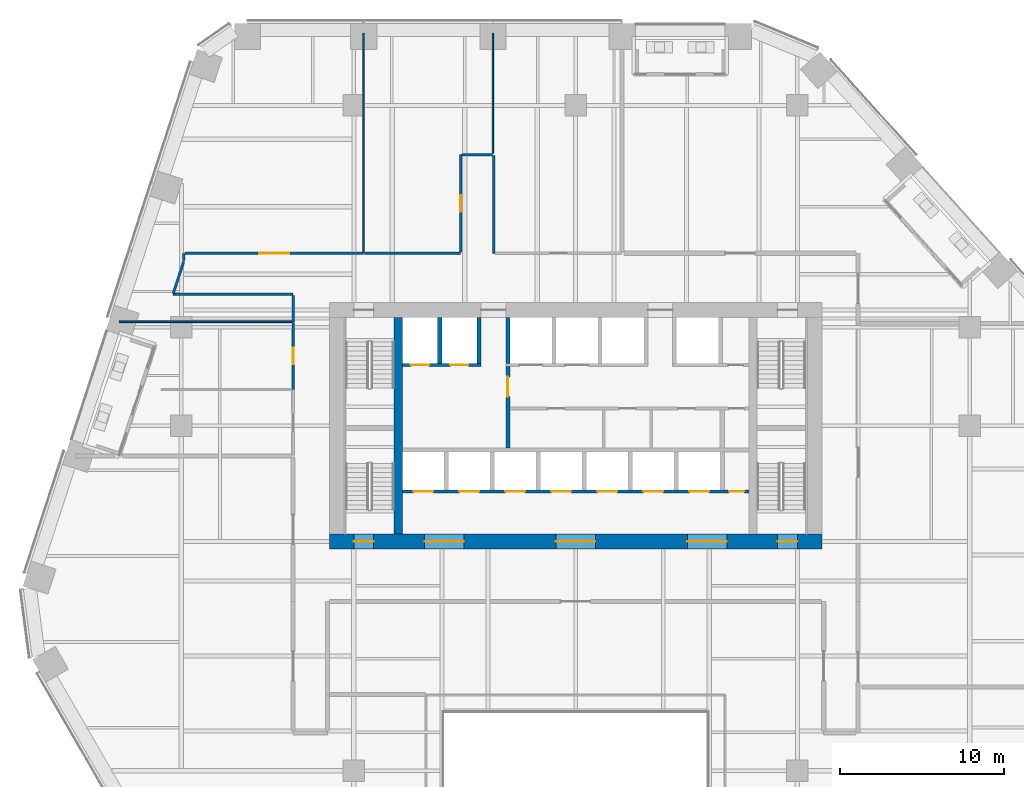
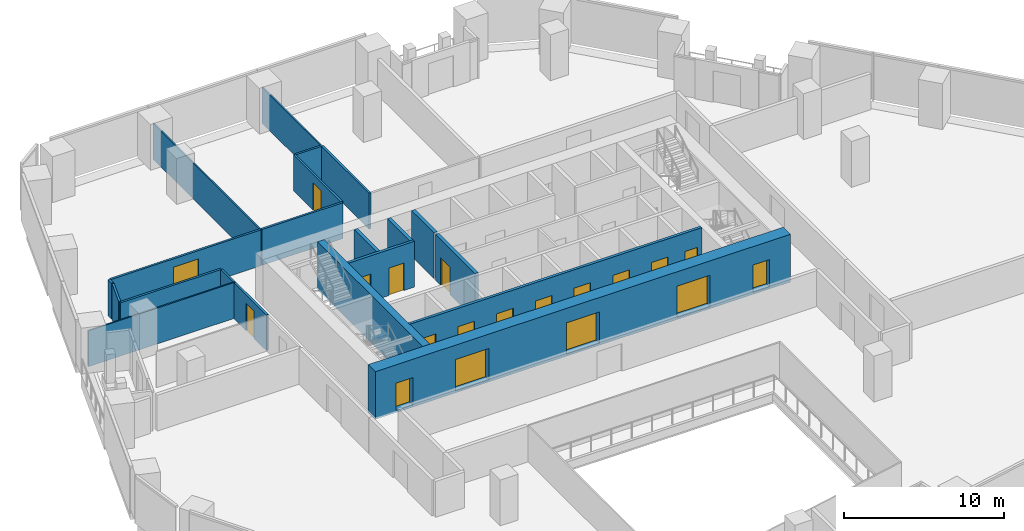
# One storey, part 21 of 28: 21 walls, 19 doors, 19 openings.
"""IFC4 building model written with IfcOpenShell, lengths in metres."""

from ifc_helpers import new_model, si_unit, direction, frame, frame_2d, origin, place, context, subcontext, project, spatial, rectangle, extrude, material, layer, layer_set, type_object, element, fill, save


model = new_model("IFC4")

# Units and contexts
model_context = context("Model", 3, precision=1e-05, world=origin(), true_north=direction((0.0, 1.0)))
body_context = subcontext(model_context, "Body", "Model", "MODEL_VIEW")
ifc_project = project(units=[si_unit("LENGTHUNIT", "METRE"), si_unit("AREAUNIT", "SQUARE_METRE"), si_unit("VOLUMEUNIT", "CUBIC_METRE"), si_unit("PLANEANGLEUNIT", "RADIAN"), si_unit("MASSUNIT", "GRAM", prefix="KILO")], contexts=[model_context])

# Site, building, storey
site_placement = place(None, origin())
site = spatial("IfcSite", under=ifc_project, at=site_placement, CompositionType="ELEMENT")
building_placement = place(site_placement, origin())
building = spatial("IfcBuilding", under=site, at=building_placement, Name="Isthmus Gate Tower", CompositionType="ELEMENT")
storey_placement = place(building_placement, frame((0.0, 0.0, 98.89990234375)))
storey = spatial("IfcBuildingStorey", under=building, at=storey_placement, Name="L23", CompositionType="ELEMENT", Elevation=98.89990234375)

# Walls
ifc_material_1 = material(Name="Gypsum board on steel studs, fire-rated", Category="steel")
ifc_layer_1 = layer(ifc_material_1, 0.14990234375)
ifc_layer_set_1 = layer_set([ifc_layer_1], Name="CORRIDOR WALL 150 60 MIN")
wall_type_1 = type_object("IfcWallType", Name="CORRIDOR WALL 150 60 MIN", PredefinedType="PARTITIONING", material=ifc_layer_set_1)
wall_1_placement = place(storey_placement, frame((-17.199951171875, 15.5, 0.0), z_axis=(0.0, 0.0, 1.0), x_axis=(-1.0, 0.0, 0.0)))
element("IfcWall", 1, at=wall_1_placement, inside=storey, type_object=wall_type_1, Name="L23 Corridor Wall 150 60 Min", PredefinedType="PARTITIONING", context=body_context, shape_type="SweptSolid", body=[
    extrude(rectangle(XDim=7.31103515625, YDim=0.14990234375, at=frame_2d((3.655517578125, 0.0))), origin(), (0.0, 0.0, 1.0), 2.7412109375),
])
wall_2_placement = place(storey_placement, frame((-5.0, 23.9619140625, 0.0), z_axis=(0.0, 0.0, 1.0), x_axis=(0.0, -1.0, 0.0)))
element("IfcWall", 2, at=wall_2_placement, inside=storey, type_object=wall_type_1, Name="L23 Corridor Wall 150 60 Min", PredefinedType="PARTITIONING", context=body_context, shape_type="SweptSolid", body=[
    extrude(rectangle(XDim=5.9619140625, YDim=0.14990234375, at=frame_2d((2.98095703125, 0.0))), origin(), (0.0, 0.0, 1.0), 2.7412109375),
])
wall_3_placement = place(storey_placement, frame((-24.48779296875, 15.5712890625, 0.0), z_axis=(0.0, 0.0, 1.0), x_axis=(0.309031629186, 0.951051761032, 0.0)))
element("IfcWall", 3, at=wall_3_placement, inside=storey, type_object=wall_type_1, Name="L23 Corridor Wall 150 60 Min", PredefinedType="PARTITIONING", context=body_context, shape_type="SweptSolid", body=[
    extrude(rectangle(XDim=2.028076171875, YDim=0.14990234375, at=frame_2d((1.01416015625, 0.0))), origin(), (0.0, 0.0, 1.0), 2.7412109375),
])
wall_4_placement = place(storey_placement, frame((-23.86279296875, 17.572998046875, 0.0), z_axis=(0.0, 0.0, 1.0), x_axis=(0.004002254967, 0.999991990946, 0.0)))
element("IfcWall", 4, at=wall_4_placement, inside=storey, type_object=wall_type_1, Name="L23 Corridor Wall 150 60 Min", PredefinedType="PARTITIONING", context=body_context, shape_type="SweptSolid", body=[
    extrude(rectangle(XDim=0.427001953125, YDim=0.14990234375, at=frame_2d((0.21337890625, 0.0))), origin(), (0.0, 0.0, 1.0), 2.7412109375),
])

# Wall, opening, door
wall_5_placement = place(storey_placement, frame((-23.785888671875, 18.0, 0.0), z_axis=(0.0, 0.0, 1.0), x_axis=(1.0, 0.0, 0.0)))
wall_5 = element("IfcWall", 5, at=wall_5_placement, inside=storey, type_object=wall_type_1, Name="L23 Corridor Wall 150 60 Min", PredefinedType="PARTITIONING", context=body_context, shape_type="SweptSolid", body=[
    extrude(rectangle(XDim=10.87890625, YDim=0.14990234375, at=frame_2d((5.439453125, 0.0))), origin(), (0.0, 0.0, 1.0), 2.7412109375),
])
opening_1_placement = place(wall_5_placement, frame((4.53955078125, 0.0, 0.0)))
opening_1 = element("IfcOpeningElement", 6, at=opening_1_placement, cuts=wall_5, Name="Opening DT-T2B-01", PredefinedType="OPENING", context=body_context, shape_type="SweptSolid", body=[
    extrude(rectangle(XDim=1.800048828125, YDim=2.10009765625, at=frame_2d((0.89990234375, 1.050048828125))), frame((0.0, 0.0849609375, 0.0), z_axis=(0.0, -1.0, 0.0), x_axis=(1.0, 0.0, 0.0)), (0.0, 0.0, 1.0), 0.169921875),
])
ifc_material_2 = material(Name="Solid core timber door leaf, fire-rated", Category="wood")
door_type_1 = type_object("IfcDoorType", Name="FIRE DOOR ROOM 1800 X 2100 60 MIN", OperationType="DOUBLE_DOOR_DOUBLE_SWING", PredefinedType="DOOR", material=ifc_material_2)
door_1_placement = place(opening_1_placement, origin())
door_1 = element("IfcDoor", 7, at=door_1_placement, inside=storey, type_object=door_type_1, Name="L23 room door", OperationType="DOUBLE_DOOR_DOUBLE_SWING", OverallHeight=2.10009765625, OverallWidth=1.800048828125, PredefinedType="DOOR", context=body_context, shape_type="SweptSolid", body=[
    extrude(rectangle(XDim=1.800048828125, YDim=2.10009765625, at=frame_2d((0.89990234375, 1.050048828125))), frame((0.0, 0.02490234375, 0.0), z_axis=(0.0, -1.0, 0.0), x_axis=(1.0, 0.0, 0.0)), (0.0, 0.0, 1.0), 0.050048828125),
])
fill(opening_1, door_1)

# Walls
wall_6_placement = place(storey_placement, frame((-17.199951171875, 13.830078125, 0.0), z_axis=(0.0, 0.0, 1.0), x_axis=(0.0, 1.0, 0.0)))
element("IfcWall", 8, at=wall_6_placement, inside=storey, type_object=wall_type_1, Name="L23 Corridor Wall 150 60 Min", PredefinedType="PARTITIONING", context=body_context, shape_type="SweptSolid", body=[
    extrude(rectangle(XDim=1.594970703125, YDim=0.14990234375, at=frame_2d((0.79736328125, 0.0))), origin(), (0.0, 0.0, 1.0), 2.7412109375),
])
wall_7_placement = place(storey_placement, frame((-12.85693359375, 18.0, 0.0), z_axis=(0.0, 0.0, 1.0), x_axis=(1.0, 0.0, 0.0)))
element("IfcWall", 9, at=wall_7_placement, inside=storey, type_object=wall_type_1, Name="L23 Corridor Wall 150 60 Min", PredefinedType="PARTITIONING", context=body_context, shape_type="SweptSolid", body=[
    extrude(rectangle(XDim=5.85693359375, YDim=0.14990234375, at=frame_2d((2.928466796875, 0.0))), origin(), (0.0, 0.0, 1.0), 2.7412109375),
])

# Wall, opening, door
wall_8_placement = place(storey_placement, frame((-7.0, 18.074951171875, 0.0), z_axis=(0.0, 0.0, 1.0), x_axis=(0.0, 1.0, 0.0)))
wall_8 = element("IfcWall", 10, at=wall_8_placement, inside=storey, type_object=wall_type_1, Name="L23 Corridor Wall 150 60 Min", PredefinedType="PARTITIONING", context=body_context, shape_type="SweptSolid", body=[
    extrude(rectangle(XDim=5.925048828125, YDim=0.14990234375, at=frame_2d((2.96240234375, 0.0))), origin(), (0.0, 0.0, 1.0), 2.7412109375),
])
opening_2_placement = place(wall_8_placement, frame((2.46240234375, 0.0, 0.0)))
opening_2 = element("IfcOpeningElement", 11, at=opening_2_placement, cuts=wall_8, Name="Opening DT-T2B-02", PredefinedType="OPENING", context=body_context, shape_type="SweptSolid", body=[
    extrude(rectangle(XDim=1.0, YDim=2.10009765625, at=frame_2d((0.5, 1.050048828125))), frame((0.0, 0.0849609375, 0.0), z_axis=(0.0, -1.0, 0.0), x_axis=(1.0, 0.0, 0.0)), (0.0, 0.0, 1.0), 0.169921875),
])
ifc_material_3 = material(Name="Solid core timber door leaf, fire-rated", Category="wood")
door_type_2 = type_object("IfcDoorType", Name="FIRE DOOR ROOM 1000 X 2100 60 MIN", OperationType="SINGLE_SWING_LEFT", PredefinedType="DOOR", material=ifc_material_3)
door_2_placement = place(opening_2_placement, origin())
door_2 = element("IfcDoor", 12, at=door_2_placement, inside=storey, type_object=door_type_2, Name="L23 room door", OperationType="SINGLE_SWING_RIGHT", OverallHeight=2.10009765625, OverallWidth=1.0, PredefinedType="DOOR", context=body_context, shape_type="SweptSolid", body=[
    extrude(rectangle(XDim=1.0, YDim=2.10009765625, at=frame_2d((0.5, 1.050048828125))), frame((0.0, 0.02490234375, 0.0), z_axis=(0.0, -1.0, 0.0), x_axis=(1.0, 0.0, 0.0)), (0.0, 0.0, 1.0), 0.050048828125),
])
fill(opening_2, door_2)

# Wall
wall_9_placement = place(storey_placement, frame((-6.925048828125, 24.0, 0.0), z_axis=(0.0, 0.0, 1.0), x_axis=(1.0, 0.0, 0.0)))
element("IfcWall", 13, at=wall_9_placement, inside=storey, type_object=wall_type_1, Name="L23 Corridor Wall 150 60 Min", PredefinedType="PARTITIONING", context=body_context, shape_type="SweptSolid", body=[
    extrude(rectangle(XDim=1.865966796875, YDim=0.14990234375, at=frame_2d((0.93310546875, 0.0))), origin(), (0.0, 0.0, 1.0), 2.7412109375),
])

# Wall, opening, door
wall_10_placement = place(storey_placement, frame((-17.199951171875, 9.714111328125, 0.0), z_axis=(0.0, 0.0, 1.0), x_axis=(0.0, 1.0, 0.0)))
wall_10 = element("IfcWall", 14, at=wall_10_placement, inside=storey, type_object=wall_type_1, Name="L23 Corridor Wall 150 60 Min", PredefinedType="PARTITIONING", context=body_context, shape_type="SweptSolid", body=[
    extrude(rectangle(XDim=4.06591796875, YDim=0.14990234375, at=frame_2d((2.032958984375, 0.0))), origin(), (0.0, 0.0, 1.0), 2.7412109375),
])
opening_3_placement = place(wall_10_placement, frame((1.532958984375, 0.0, 0.0)))
opening_3 = element("IfcOpeningElement", 15, at=opening_3_placement, cuts=wall_10, Name="Opening DT-T2B-06", PredefinedType="OPENING", context=body_context, shape_type="SweptSolid", body=[
    extrude(rectangle(XDim=1.0, YDim=2.10009765625, at=frame_2d((0.5, 1.050048828125))), frame((0.0, 0.0849609375, 0.0), z_axis=(0.0, -1.0, 0.0), x_axis=(1.0, 0.0, 0.0)), (0.0, 0.0, 1.0), 0.169921875),
])
door_3_placement = place(opening_3_placement, origin())
door_3 = element("IfcDoor", 16, at=door_3_placement, inside=storey, type_object=door_type_2, Name="L23 room door", OperationType="SINGLE_SWING_RIGHT", OverallHeight=2.10009765625, OverallWidth=1.0, PredefinedType="DOOR", context=body_context, shape_type="SweptSolid", body=[
    extrude(rectangle(XDim=1.0, YDim=2.10009765625, at=frame_2d((0.5, 1.050048828125))), frame((0.0, 0.02490234375, 0.0), z_axis=(0.0, -1.0, 0.0), x_axis=(1.0, 0.0, 0.0)), (0.0, 0.0, 1.0), 0.050048828125),
])
fill(opening_3, door_3)

ifc_material_4 = material(Name="Fire-rated blockwork masonry, 15 MPa", Category="masonry")
ifc_layer_2 = layer(ifc_material_4, 0.25)
ifc_layer_set_2 = layer_set([ifc_layer_2], Name="FIRE-FIGHTING LOBBY WALL 250 90 MIN")
wall_type_2 = type_object("IfcWallType", Name="FIRE-FIGHTING LOBBY WALL 250 90 MIN", PredefinedType="PARTITIONING", material=ifc_layer_set_2)
wall_11_placement = place(storey_placement, frame((-4.125, 6.14990234375, 0.0), z_axis=(0.0, 0.0, 1.0), x_axis=(0.0, 1.0, 0.0)))
wall_11 = element("IfcWall", 17, at=wall_11_placement, inside=storey, type_object=wall_type_2, Name="L23 FIRE-FIGHTING LOBBY WALL 250 90 MIN", PredefinedType="PARTITIONING", context=body_context, shape_type="SweptSolid", body=[
    extrude(rectangle(XDim=4.9501953125, YDim=0.25, at=frame_2d((2.47509765625, 0.0))), origin(), (0.0, 0.0, 1.0), 3.5),
])
opening_4_placement = place(wall_11_placement, frame((3.125, 0.0, 0.0)))
opening_4 = element("IfcOpeningElement", 18, at=opening_4_placement, cuts=wall_11, Name="Opening DC-A04-01", PredefinedType="OPENING", context=body_context, shape_type="SweptSolid", body=[
    extrude(rectangle(XDim=1.199951171875, YDim=2.10009765625, at=frame_2d((0.60009765625, 1.050048828125))), frame((0.0, 0.135009765625, 0.0), z_axis=(0.0, -1.0, 0.0), x_axis=(1.0, 0.0, 0.0)), (0.0, 0.0, 1.0), 0.27001953125),
])
ifc_material_5 = material(Name="Steel door leaf, fire-rated", Category="steel")
door_type_3 = type_object("IfcDoorType", Name="LOBBY FIRE DOOR 1200 X 2100 90 MIN", OperationType="DOUBLE_DOOR_SINGLE_SWING", PredefinedType="DOOR", material=ifc_material_5)
door_4_placement = place(opening_4_placement, origin())
door_4 = element("IfcDoor", 19, at=door_4_placement, inside=storey, type_object=door_type_3, Name="Fire-fighting Lobby Door", OperationType="SINGLE_SWING_LEFT", OverallHeight=2.10009765625, OverallWidth=1.199951171875, PredefinedType="DOOR", context=body_context, shape_type="SweptSolid", body=[
    extrude(rectangle(XDim=1.199951171875, YDim=2.10009765625, at=frame_2d((0.60009765625, 1.050048828125))), frame((0.0, 0.02490234375, 0.0), z_axis=(0.0, -1.0, 0.0), x_axis=(1.0, 0.0, 0.0)), (0.0, 0.0, 1.0), 0.050048828125),
])
fill(opening_4, door_4)

# Wall
ifc_material_6 = material(Name="Concrete f'c 70 MPa", Category="concrete")
ifc_layer_3 = layer(ifc_material_6, 0.5)
ifc_layer_set_3 = layer_set([ifc_layer_3], Name="RC CORE SPINE WALL 500 F'C 70")
wall_type_3 = type_object("IfcWallType", Name="RC CORE SPINE WALL 500 F'C 70", PredefinedType="SOLIDWALL", material=ifc_layer_set_3)
wall_12_placement = place(storey_placement, frame((-10.800048828125, 0.89990234375, -0.14990234375), z_axis=(0.0, 0.0, 1.0), x_axis=(0.0, 1.0, 0.0)))
element("IfcWall", 20, at=wall_12_placement, inside=storey, type_object=wall_type_3, Name="str-corewall-L23-SPW", PredefinedType="SOLIDWALL", context=body_context, shape_type="SweptSolid", body=[
    extrude(rectangle(XDim=13.2001953125, YDim=0.5, at=frame_2d((6.60009765625, 0.0))), origin(), (0.0, 0.0, 1.0), 3.64990234375),
])

# Wall, openings, doors
ifc_material_7 = material(Name="Concrete f'c 70 MPa", Category="concrete")
ifc_layer_4 = layer(ifc_material_7, 0.89990234375)
ifc_layer_set_4 = layer_set([ifc_layer_4], Name="RC CORE WALL 900 F'C 70")
wall_type_4 = type_object("IfcWallType", Name="RC CORE WALL 900 F'C 70", PredefinedType="SOLIDWALL", material=ifc_layer_set_4)
wall_13_placement = place(storey_placement, frame((-15.0, 0.449951171875, -0.14990234375), z_axis=(0.0, 0.0, 1.0), x_axis=(1.0, 0.0, 0.0)))
wall_13 = element("IfcWall", 21, at=wall_13_placement, inside=storey, type_object=wall_type_4, Name="str-corewall-L23-S", PredefinedType="SOLIDWALL", context=body_context, shape_type="SweptSolid", body=[
    extrude(rectangle(XDim=30.0, YDim=0.89990234375, at=frame_2d((15.0, 0.0))), origin(), (0.0, 0.0, 1.0), 3.64990234375),
])
opening_5_placement = place(wall_13_placement, frame((5.800048828125, 0.0, 0.14990234375)))
opening_5 = element("IfcOpeningElement", 22, at=opening_5_placement, cuts=wall_13, Name="Opening DC-A04-08", PredefinedType="OPENING", context=body_context, shape_type="SweptSolid", body=[
    extrude(rectangle(XDim=2.39990234375, YDim=2.39990234375, at=frame_2d((1.199951171875, 1.199951171875))), frame((0.0, 0.4599609375, 0.0), z_axis=(0.0, -1.0, 0.0), x_axis=(1.0, 0.0, 0.0)), (0.0, 0.0, 1.0), 0.919921875),
])
opening_6_placement = place(wall_13_placement, frame((13.800048828125, 0.0, 0.14990234375)))
opening_6 = element("IfcOpeningElement", 23, at=opening_6_placement, cuts=wall_13, Name="Opening DC-A04-09", PredefinedType="OPENING", context=body_context, shape_type="SweptSolid", body=[
    extrude(rectangle(XDim=2.39990234375, YDim=2.39990234375, at=frame_2d((1.199951171875, 1.199951171875))), frame((0.0, 0.4599609375, 0.0), z_axis=(0.0, -1.0, 0.0), x_axis=(1.0, 0.0, 0.0)), (0.0, 0.0, 1.0), 0.919921875),
])
opening_7_placement = place(wall_13_placement, frame((21.800048828125, 0.0, 0.14990234375)))
opening_7 = element("IfcOpeningElement", 24, at=opening_7_placement, cuts=wall_13, Name="Opening DC-A04-10", PredefinedType="OPENING", context=body_context, shape_type="SweptSolid", body=[
    extrude(rectangle(XDim=2.39990234375, YDim=2.39990234375, at=frame_2d((1.199951171875, 1.199951171875))), frame((0.0, 0.4599609375, 0.0), z_axis=(0.0, -1.0, 0.0), x_axis=(1.0, 0.0, 0.0)), (0.0, 0.0, 1.0), 0.919921875),
])
opening_8_placement = place(wall_13_placement, frame((1.5, 0.0, 0.14990234375)))
opening_8 = element("IfcOpeningElement", 25, at=opening_8_placement, cuts=wall_13, Name="Opening DC-A04-15", PredefinedType="OPENING", context=body_context, shape_type="SweptSolid", body=[
    extrude(rectangle(XDim=1.199951171875, YDim=2.10009765625, at=frame_2d((0.60009765625, 1.050048828125))), frame((0.0, 0.4599609375, 0.0), z_axis=(0.0, -1.0, 0.0), x_axis=(1.0, 0.0, 0.0)), (0.0, 0.0, 1.0), 0.919921875),
])
opening_9_placement = place(wall_13_placement, frame((27.300048828125, 0.0, 0.14990234375)))
opening_9 = element("IfcOpeningElement", 26, at=opening_9_placement, cuts=wall_13, Name="Opening DC-A04-16", PredefinedType="OPENING", context=body_context, shape_type="SweptSolid", body=[
    extrude(rectangle(XDim=1.199951171875, YDim=2.10009765625, at=frame_2d((0.60009765625, 1.050048828125))), frame((0.0, 0.4599609375, 0.0), z_axis=(0.0, -1.0, 0.0), x_axis=(1.0, 0.0, 0.0)), (0.0, 0.0, 1.0), 0.919921875),
])
ifc_material_8 = material(Name="Laminated safety glass in steel frame, fire-rated", Category="steel")
door_type_4 = type_object("IfcDoorType", Name="LOBBY ENTRANCE FIRE DOOR 2400 X 2400 60 MIN", OperationType="DOUBLE_DOOR_DOUBLE_SWING", PredefinedType="DOOR", material=ifc_material_8)
door_5_placement = place(opening_5_placement, origin())
door_5 = element("IfcDoor", 27, at=door_5_placement, inside=storey, type_object=door_type_4, Name="Lobby Entrance PS-W", OperationType="DOUBLE_DOOR_DOUBLE_SWING", OverallHeight=2.39990234375, OverallWidth=2.39990234375, PredefinedType="DOOR", context=body_context, shape_type="SweptSolid", body=[
    extrude(rectangle(XDim=2.39990234375, YDim=2.39990234375, at=frame_2d((1.199951171875, 1.199951171875))), frame((0.0, 0.02490234375, 0.0), z_axis=(0.0, -1.0, 0.0), x_axis=(1.0, 0.0, 0.0)), (0.0, 0.0, 1.0), 0.050048828125),
])
fill(opening_5, door_5)
door_6_placement = place(opening_6_placement, origin())
door_6 = element("IfcDoor", 28, at=door_6_placement, inside=storey, type_object=door_type_4, Name="Lobby Entrance PS-C", OperationType="DOUBLE_DOOR_DOUBLE_SWING", OverallHeight=2.39990234375, OverallWidth=2.39990234375, PredefinedType="DOOR", context=body_context, shape_type="SweptSolid", body=[
    extrude(rectangle(XDim=2.39990234375, YDim=2.39990234375, at=frame_2d((1.199951171875, 1.199951171875))), frame((0.0, 0.02490234375, 0.0), z_axis=(0.0, -1.0, 0.0), x_axis=(1.0, 0.0, 0.0)), (0.0, 0.0, 1.0), 0.050048828125),
])
fill(opening_6, door_6)
door_7_placement = place(opening_7_placement, origin())
door_7 = element("IfcDoor", 29, at=door_7_placement, inside=storey, type_object=door_type_4, Name="Lobby Entrance PS-E", OperationType="DOUBLE_DOOR_DOUBLE_SWING", OverallHeight=2.39990234375, OverallWidth=2.39990234375, PredefinedType="DOOR", context=body_context, shape_type="SweptSolid", body=[
    extrude(rectangle(XDim=2.39990234375, YDim=2.39990234375, at=frame_2d((1.199951171875, 1.199951171875))), frame((0.0, 0.02490234375, 0.0), z_axis=(0.0, -1.0, 0.0), x_axis=(1.0, 0.0, 0.0)), (0.0, 0.0, 1.0), 0.050048828125),
])
fill(opening_7, door_7)
ifc_material_9 = material(Name="Steel door leaf, fire-rated", Category="steel")
door_type_5 = type_object("IfcDoorType", Name="STAIR FIRE DOOR 1200 X 2100 90 MIN", OperationType="SINGLE_SWING_LEFT", PredefinedType="DOOR", material=ifc_material_9)
door_8_placement = place(opening_8_placement, origin())
door_8 = element("IfcDoor", 30, at=door_8_placement, inside=storey, type_object=door_type_5, Name="Exit Stair 7 Door", OperationType="SINGLE_SWING_LEFT", OverallHeight=2.10009765625, OverallWidth=1.199951171875, PredefinedType="DOOR", context=body_context, shape_type="SweptSolid", body=[
    extrude(rectangle(XDim=1.199951171875, YDim=2.10009765625, at=frame_2d((0.60009765625, 1.050048828125))), frame((0.0, 0.02490234375, 0.0), z_axis=(0.0, -1.0, 0.0), x_axis=(1.0, 0.0, 0.0)), (0.0, 0.0, 1.0), 0.050048828125),
])
fill(opening_8, door_8)
door_9_placement = place(opening_9_placement, origin())
door_9 = element("IfcDoor", 31, at=door_9_placement, inside=storey, type_object=door_type_5, Name="Exit Stair 8 Door", OperationType="SINGLE_SWING_RIGHT", OverallHeight=2.10009765625, OverallWidth=1.199951171875, PredefinedType="DOOR", context=body_context, shape_type="SweptSolid", body=[
    extrude(rectangle(XDim=1.199951171875, YDim=2.10009765625, at=frame_2d((0.60009765625, 1.050048828125))), frame((0.0, 0.02490234375, 0.0), z_axis=(0.0, -1.0, 0.0), x_axis=(1.0, 0.0, 0.0)), (0.0, 0.0, 1.0), 0.050048828125),
])
fill(opening_9, door_9)

# Walls
ifc_material_10 = material(Name="Gypsum board on steel studs, fire-rated", Category="steel")
ifc_layer_5 = layer(ifc_material_10, 0.10009765625)
ifc_layer_set_5 = layer_set([ifc_layer_5], Name="ROOM PARTITION 100 30 MIN")
wall_type_5 = type_object("IfcWallType", Name="ROOM PARTITION 100 30 MIN", PredefinedType="PARTITIONING", material=ifc_layer_set_5)
wall_14_placement = place(storey_placement, frame((-12.906982421875, 18.074951171875, 0.0), z_axis=(0.0, 0.0, 1.0), x_axis=(0.0, 1.0, 0.0)))
element("IfcWall", 32, at=wall_14_placement, inside=storey, type_object=wall_type_5, Name="L23 Room Partition 100 30 Min", PredefinedType="PARTITIONING", context=body_context, shape_type="SweptSolid", body=[
    extrude(rectangle(XDim=13.324951171875, YDim=0.10009765625, at=frame_2d((6.66259765625, 0.0))), origin(), (0.0, 0.0, 1.0), 2.7412109375),
])
wall_15_placement = place(storey_placement, frame((-27.787109375, 13.830078125, 0.0), z_axis=(0.0, 0.0, 1.0), x_axis=(1.0, 0.0, 0.0)))
element("IfcWall", 33, at=wall_15_placement, inside=storey, type_object=wall_type_5, Name="L23 Room Partition 100 30 Min", PredefinedType="PARTITIONING", context=body_context, shape_type="SweptSolid", body=[
    extrude(rectangle(XDim=10.51220703125, YDim=0.10009765625, at=frame_2d((5.256103515625, 0.0))), origin(), (0.0, 0.0, 1.0), 2.7412109375),
])
wall_16_placement = place(storey_placement, frame((-5.037109375, 24.074951171875, 0.0), z_axis=(0.0, 0.0, 1.0), x_axis=(0.0, 1.0, 0.0)))
element("IfcWall", 34, at=wall_16_placement, inside=storey, type_object=wall_type_5, Name="L23 Room Partition 100 30 Min", PredefinedType="PARTITIONING", context=body_context, shape_type="SweptSolid", body=[
    extrude(rectangle(XDim=7.324951171875, YDim=0.10009765625, at=frame_2d((3.66259765625, 0.0))), origin(), (0.0, 0.0, 1.0), 2.7412109375),
])

# Wall, openings, doors
ifc_material_11 = material(Name="Fire-rated blockwork masonry, 15 MPa", Category="masonry")
ifc_layer_6 = layer(ifc_material_11, 0.199951171875)
ifc_layer_set_6 = layer_set([ifc_layer_6], Name="SHAFT FRONT WALL 200 120 MIN")
wall_type_6 = type_object("IfcWallType", Name="SHAFT FRONT WALL 200 120 MIN", PredefinedType="PARTITIONING", material=ifc_layer_set_6)
wall_17_placement = place(storey_placement, frame((-10.550048828125, 3.5, 0.0), z_axis=(0.0, 0.0, 1.0), x_axis=(1.0, 0.0, 0.0)))
wall_17 = element("IfcWall", 35, at=wall_17_placement, inside=storey, type_object=wall_type_6, Name="L23 SHAFT FRONT WALL 200 120 MIN", PredefinedType="PARTITIONING", context=body_context, shape_type="SweptSolid", body=[
    extrude(rectangle(XDim=21.10009765625, YDim=0.199951171875, at=frame_2d((10.550048828125, 0.0))), origin(), (0.0, 0.0, 1.0), 3.5),
])
opening_10_placement = place(wall_17_placement, frame((0.675048828125, 0.0, 0.0)))
opening_10 = element("IfcOpeningElement", 36, at=opening_10_placement, cuts=wall_17, Name="Opening LD-LA1", PredefinedType="OPENING", context=body_context, shape_type="SweptSolid", body=[
    extrude(rectangle(XDim=1.199951171875, YDim=2.10009765625, at=frame_2d((0.60009765625, 1.050048828125))), frame((0.0, 0.10986328125, 0.0), z_axis=(0.0, -1.0, 0.0), x_axis=(1.0, 0.0, 0.0)), (0.0, 0.0, 1.0), 0.219970703125),
])
opening_11_placement = place(wall_17_placement, frame((3.47509765625, 0.0, 0.0)))
opening_11 = element("IfcOpeningElement", 37, at=opening_11_placement, cuts=wall_17, Name="Opening LD-LA2", PredefinedType="OPENING", context=body_context, shape_type="SweptSolid", body=[
    extrude(rectangle(XDim=1.199951171875, YDim=2.10009765625, at=frame_2d((0.60009765625, 1.050048828125))), frame((0.0, 0.10986328125, 0.0), z_axis=(0.0, -1.0, 0.0), x_axis=(1.0, 0.0, 0.0)), (0.0, 0.0, 1.0), 0.219970703125),
])
opening_12_placement = place(wall_17_placement, frame((6.27490234375, 0.0, 0.0)))
opening_12 = element("IfcOpeningElement", 38, at=opening_12_placement, cuts=wall_17, Name="Opening LD-LA3", PredefinedType="OPENING", context=body_context, shape_type="SweptSolid", body=[
    extrude(rectangle(XDim=1.199951171875, YDim=2.10009765625, at=frame_2d((0.60009765625, 1.050048828125))), frame((0.0, 0.10986328125, 0.0), z_axis=(0.0, -1.0, 0.0), x_axis=(1.0, 0.0, 0.0)), (0.0, 0.0, 1.0), 0.219970703125),
])
opening_13_placement = place(wall_17_placement, frame((9.074951171875, 0.0, 0.0)))
opening_13 = element("IfcOpeningElement", 39, at=opening_13_placement, cuts=wall_17, Name="Opening LD-LA4", PredefinedType="OPENING", context=body_context, shape_type="SweptSolid", body=[
    extrude(rectangle(XDim=1.199951171875, YDim=2.10009765625, at=frame_2d((0.60009765625, 1.050048828125))), frame((0.0, 0.10986328125, 0.0), z_axis=(0.0, -1.0, 0.0), x_axis=(1.0, 0.0, 0.0)), (0.0, 0.0, 1.0), 0.219970703125),
])
opening_14_placement = place(wall_17_placement, frame((11.875, 0.0, 0.0)))
opening_14 = element("IfcOpeningElement", 40, at=opening_14_placement, cuts=wall_17, Name="Opening LD-LA5", PredefinedType="OPENING", context=body_context, shape_type="SweptSolid", body=[
    extrude(rectangle(XDim=1.199951171875, YDim=2.10009765625, at=frame_2d((0.60009765625, 1.050048828125))), frame((0.0, 0.10986328125, 0.0), z_axis=(0.0, -1.0, 0.0), x_axis=(1.0, 0.0, 0.0)), (0.0, 0.0, 1.0), 0.219970703125),
])
opening_15_placement = place(wall_17_placement, frame((14.675048828125, 0.0, 0.0)))
opening_15 = element("IfcOpeningElement", 41, at=opening_15_placement, cuts=wall_17, Name="Opening LD-LA6", PredefinedType="OPENING", context=body_context, shape_type="SweptSolid", body=[
    extrude(rectangle(XDim=1.199951171875, YDim=2.10009765625, at=frame_2d((0.60009765625, 1.050048828125))), frame((0.0, 0.10986328125, 0.0), z_axis=(0.0, -1.0, 0.0), x_axis=(1.0, 0.0, 0.0)), (0.0, 0.0, 1.0), 0.219970703125),
])
opening_16_placement = place(wall_17_placement, frame((17.47509765625, 0.0, 0.0)))
opening_16 = element("IfcOpeningElement", 42, at=opening_16_placement, cuts=wall_17, Name="Opening LD-LA7", PredefinedType="OPENING", context=body_context, shape_type="SweptSolid", body=[
    extrude(rectangle(XDim=1.199951171875, YDim=2.10009765625, at=frame_2d((0.60009765625, 1.050048828125))), frame((0.0, 0.10986328125, 0.0), z_axis=(0.0, -1.0, 0.0), x_axis=(1.0, 0.0, 0.0)), (0.0, 0.0, 1.0), 0.219970703125),
])
opening_17_placement = place(wall_17_placement, frame((19.89990234375, 0.0, 0.0)))
opening_17 = element("IfcOpeningElement", 43, at=opening_17_placement, cuts=wall_17, Name="Opening DC-A04-02", PredefinedType="OPENING", context=body_context, shape_type="SweptSolid", body=[
    extrude(rectangle(XDim=0.89990234375, YDim=2.10009765625, at=frame_2d((0.449951171875, 1.050048828125))), frame((0.0, 0.10986328125, 0.0), z_axis=(0.0, -1.0, 0.0), x_axis=(1.0, 0.0, 0.0)), (0.0, 0.0, 1.0), 0.219970703125),
])
ifc_material_12 = material(Name="Stainless steel sliding leaf", Category="steel")
door_type_6 = type_object("IfcDoorType", Name="LIFT LANDING FIRE DOOR 1200 X 2100 90 MIN", OperationType="DOUBLE_DOOR_SLIDING", PredefinedType="DOOR", material=ifc_material_12)
door_10_placement = place(opening_10_placement, origin())
door_10 = element("IfcDoor", 44, at=door_10_placement, inside=storey, type_object=door_type_6, Name="Lift Landing Door LA1", OperationType="DOUBLE_DOOR_SLIDING", OverallHeight=2.10009765625, OverallWidth=1.199951171875, PredefinedType="DOOR", context=body_context, shape_type="SweptSolid", body=[
    extrude(rectangle(XDim=1.199951171875, YDim=2.10009765625, at=frame_2d((0.60009765625, 1.050048828125))), frame((0.0, 0.02490234375, 0.0), z_axis=(0.0, -1.0, 0.0), x_axis=(1.0, 0.0, 0.0)), (0.0, 0.0, 1.0), 0.050048828125),
])
fill(opening_10, door_10)
door_11_placement = place(opening_11_placement, origin())
door_11 = element("IfcDoor", 45, at=door_11_placement, inside=storey, type_object=door_type_6, Name="Lift Landing Door LA2", OperationType="DOUBLE_DOOR_SLIDING", OverallHeight=2.10009765625, OverallWidth=1.199951171875, PredefinedType="DOOR", context=body_context, shape_type="SweptSolid", body=[
    extrude(rectangle(XDim=1.199951171875, YDim=2.10009765625, at=frame_2d((0.60009765625, 1.050048828125))), frame((0.0, 0.02490234375, 0.0), z_axis=(0.0, -1.0, 0.0), x_axis=(1.0, 0.0, 0.0)), (0.0, 0.0, 1.0), 0.050048828125),
])
fill(opening_11, door_11)
door_12_placement = place(opening_12_placement, origin())
door_12 = element("IfcDoor", 46, at=door_12_placement, inside=storey, type_object=door_type_6, Name="Lift Landing Door LA3", OperationType="DOUBLE_DOOR_SLIDING", OverallHeight=2.10009765625, OverallWidth=1.199951171875, PredefinedType="DOOR", context=body_context, shape_type="SweptSolid", body=[
    extrude(rectangle(XDim=1.199951171875, YDim=2.10009765625, at=frame_2d((0.60009765625, 1.050048828125))), frame((0.0, 0.02490234375, 0.0), z_axis=(0.0, -1.0, 0.0), x_axis=(1.0, 0.0, 0.0)), (0.0, 0.0, 1.0), 0.050048828125),
])
fill(opening_12, door_12)
door_13_placement = place(opening_13_placement, origin())
door_13 = element("IfcDoor", 47, at=door_13_placement, inside=storey, type_object=door_type_6, Name="Lift Landing Door LA4", OperationType="DOUBLE_DOOR_SLIDING", OverallHeight=2.10009765625, OverallWidth=1.199951171875, PredefinedType="DOOR", context=body_context, shape_type="SweptSolid", body=[
    extrude(rectangle(XDim=1.199951171875, YDim=2.10009765625, at=frame_2d((0.60009765625, 1.050048828125))), frame((0.0, 0.02490234375, 0.0), z_axis=(0.0, -1.0, 0.0), x_axis=(1.0, 0.0, 0.0)), (0.0, 0.0, 1.0), 0.050048828125),
])
fill(opening_13, door_13)
door_14_placement = place(opening_14_placement, origin())
door_14 = element("IfcDoor", 48, at=door_14_placement, inside=storey, type_object=door_type_6, Name="Lift Landing Door LA5", OperationType="DOUBLE_DOOR_SLIDING", OverallHeight=2.10009765625, OverallWidth=1.199951171875, PredefinedType="DOOR", context=body_context, shape_type="SweptSolid", body=[
    extrude(rectangle(XDim=1.199951171875, YDim=2.10009765625, at=frame_2d((0.60009765625, 1.050048828125))), frame((0.0, 0.02490234375, 0.0), z_axis=(0.0, -1.0, 0.0), x_axis=(1.0, 0.0, 0.0)), (0.0, 0.0, 1.0), 0.050048828125),
])
fill(opening_14, door_14)
door_15_placement = place(opening_15_placement, origin())
door_15 = element("IfcDoor", 49, at=door_15_placement, inside=storey, type_object=door_type_6, Name="Lift Landing Door LA6", OperationType="DOUBLE_DOOR_SLIDING", OverallHeight=2.10009765625, OverallWidth=1.199951171875, PredefinedType="DOOR", context=body_context, shape_type="SweptSolid", body=[
    extrude(rectangle(XDim=1.199951171875, YDim=2.10009765625, at=frame_2d((0.60009765625, 1.050048828125))), frame((0.0, 0.02490234375, 0.0), z_axis=(0.0, -1.0, 0.0), x_axis=(1.0, 0.0, 0.0)), (0.0, 0.0, 1.0), 0.050048828125),
])
fill(opening_15, door_15)
door_16_placement = place(opening_16_placement, origin())
door_16 = element("IfcDoor", 50, at=door_16_placement, inside=storey, type_object=door_type_6, Name="Lift Landing Door LA7", OperationType="DOUBLE_DOOR_SLIDING", OverallHeight=2.10009765625, OverallWidth=1.199951171875, PredefinedType="DOOR", context=body_context, shape_type="SweptSolid", body=[
    extrude(rectangle(XDim=1.199951171875, YDim=2.10009765625, at=frame_2d((0.60009765625, 1.050048828125))), frame((0.0, 0.02490234375, 0.0), z_axis=(0.0, -1.0, 0.0), x_axis=(1.0, 0.0, 0.0)), (0.0, 0.0, 1.0), 0.050048828125),
])
fill(opening_16, door_16)
ifc_material_13 = material(Name="Steel door leaf, fire-rated", Category="steel")
door_type_7 = type_object("IfcDoorType", Name="RISER FIRE DOOR 900 X 2100 90 MIN", OperationType="SINGLE_SWING_LEFT", PredefinedType="DOOR", material=ifc_material_13)
door_17_placement = place(opening_17_placement, origin())
door_17 = element("IfcDoor", 51, at=door_17_placement, inside=storey, type_object=door_type_7, Name="Riser Door", OperationType="SINGLE_SWING_RIGHT", OverallHeight=2.10009765625, OverallWidth=0.89990234375, PredefinedType="DOOR", context=body_context, shape_type="SweptSolid", body=[
    extrude(rectangle(XDim=0.89990234375, YDim=2.10009765625, at=frame_2d((0.449951171875, 1.050048828125))), frame((0.0, 0.02490234375, 0.0), z_axis=(0.0, -1.0, 0.0), x_axis=(1.0, 0.0, 0.0)), (0.0, 0.0, 1.0), 0.050048828125),
])
fill(opening_17, door_17)

wall_18_placement = place(storey_placement, frame((-10.550048828125, 11.199951171875, 0.0), z_axis=(0.0, 0.0, 1.0), x_axis=(1.0, 0.0, 0.0)))
wall_18 = element("IfcWall", 52, at=wall_18_placement, inside=storey, type_object=wall_type_6, Name="L23 SHAFT FRONT WALL 200 120 MIN", PredefinedType="PARTITIONING", context=body_context, shape_type="SweptSolid", body=[
    extrude(rectangle(XDim=4.800048828125, YDim=0.199951171875, at=frame_2d((2.39990234375, 0.0))), origin(), (0.0, 0.0, 1.0), 3.5),
])
opening_18_placement = place(wall_18_placement, frame((0.52490234375, 0.0, 0.0)))
opening_18 = element("IfcOpeningElement", 53, at=opening_18_placement, cuts=wall_18, Name="Opening LD-LF1", PredefinedType="OPENING", context=body_context, shape_type="SweptSolid", body=[
    extrude(rectangle(XDim=1.10009765625, YDim=2.10009765625, at=frame_2d((0.550048828125, 1.050048828125))), frame((0.0, 0.10986328125, 0.0), z_axis=(0.0, -1.0, 0.0), x_axis=(1.0, 0.0, 0.0)), (0.0, 0.0, 1.0), 0.219970703125),
])
opening_19_placement = place(wall_18_placement, frame((2.925048828125, 0.0, 0.0)))
opening_19 = element("IfcOpeningElement", 54, at=opening_19_placement, cuts=wall_18, Name="Opening LD-LF2", PredefinedType="OPENING", context=body_context, shape_type="SweptSolid", body=[
    extrude(rectangle(XDim=1.10009765625, YDim=2.10009765625, at=frame_2d((0.550048828125, 1.050048828125))), frame((0.0, 0.10986328125, 0.0), z_axis=(0.0, -1.0, 0.0), x_axis=(1.0, 0.0, 0.0)), (0.0, 0.0, 1.0), 0.219970703125),
])
ifc_material_14 = material(Name="Stainless steel sliding leaf", Category="steel")
door_type_8 = type_object("IfcDoorType", Name="LIFT LANDING FIRE DOOR 1100 X 2100 90 MIN", OperationType="DOUBLE_DOOR_SLIDING", PredefinedType="DOOR", material=ifc_material_14)
door_18_placement = place(opening_18_placement, origin())
door_18 = element("IfcDoor", 55, at=door_18_placement, inside=storey, type_object=door_type_8, Name="Lift Landing Door LF1", OperationType="DOUBLE_DOOR_SLIDING", OverallHeight=2.10009765625, OverallWidth=1.10009765625, PredefinedType="DOOR", context=body_context, shape_type="SweptSolid", body=[
    extrude(rectangle(XDim=1.10009765625, YDim=2.10009765625, at=frame_2d((0.550048828125, 1.050048828125))), frame((0.0, 0.02490234375, 0.0), z_axis=(0.0, -1.0, 0.0), x_axis=(1.0, 0.0, 0.0)), (0.0, 0.0, 1.0), 0.050048828125),
])
fill(opening_18, door_18)
door_19_placement = place(opening_19_placement, origin())
door_19 = element("IfcDoor", 56, at=door_19_placement, inside=storey, type_object=door_type_8, Name="Lift Landing Door LF2", OperationType="DOUBLE_DOOR_SLIDING", OverallHeight=2.10009765625, OverallWidth=1.10009765625, PredefinedType="DOOR", context=body_context, shape_type="SweptSolid", body=[
    extrude(rectangle(XDim=1.10009765625, YDim=2.10009765625, at=frame_2d((0.550048828125, 1.050048828125))), frame((0.0, 0.02490234375, 0.0), z_axis=(0.0, -1.0, 0.0), x_axis=(1.0, 0.0, 0.0)), (0.0, 0.0, 1.0), 0.050048828125),
])
fill(opening_19, door_19)

# Walls
ifc_material_15 = material(Name="Fire-rated blockwork masonry, 15 MPa", Category="masonry")
ifc_layer_7 = layer(ifc_material_15, 0.25)
ifc_layer_set_7 = layer_set([ifc_layer_7], Name="SHAFT WALL 250 120 MIN")
wall_type_7 = type_object("IfcWallType", Name="SHAFT WALL 250 120 MIN", PredefinedType="PARTITIONING", material=ifc_layer_set_7)
for number, where, z_axis, x_axis, name in (
    (57, (-8.27490234375, 11.300048828125, 0.0), (0.0, 0.0, 1.0), (0.0, 1.0, 0.0), "L23 SHAFT WALL 250 120 MIN"),
    (58, (-5.875, 11.300048828125, 0.0), (0.0, 0.0, 1.0), (0.0, 1.0, 0.0), "L23 SHAFT WALL 250 120 MIN"),
    (59, (-4.125, 11.300048828125, 0.0), (0.0, 0.0, 1.0), (0.0, 1.0, 0.0), "L23 SHAFT WALL 250 120 MIN"),
):
    element("IfcWall", number, at=place(storey_placement, frame(where, z_axis=z_axis, x_axis=x_axis)), inside=storey, type_object=wall_type_7, Name=name, PredefinedType="PARTITIONING", context=body_context, shape_type="SweptSolid", body=[
        extrude(rectangle(XDim=2.800048828125, YDim=0.25, at=frame_2d((1.39990234375, 0.0))), origin(), (0.0, 0.0, 1.0), 3.5),
    ])

save(model, "model.ifc")
